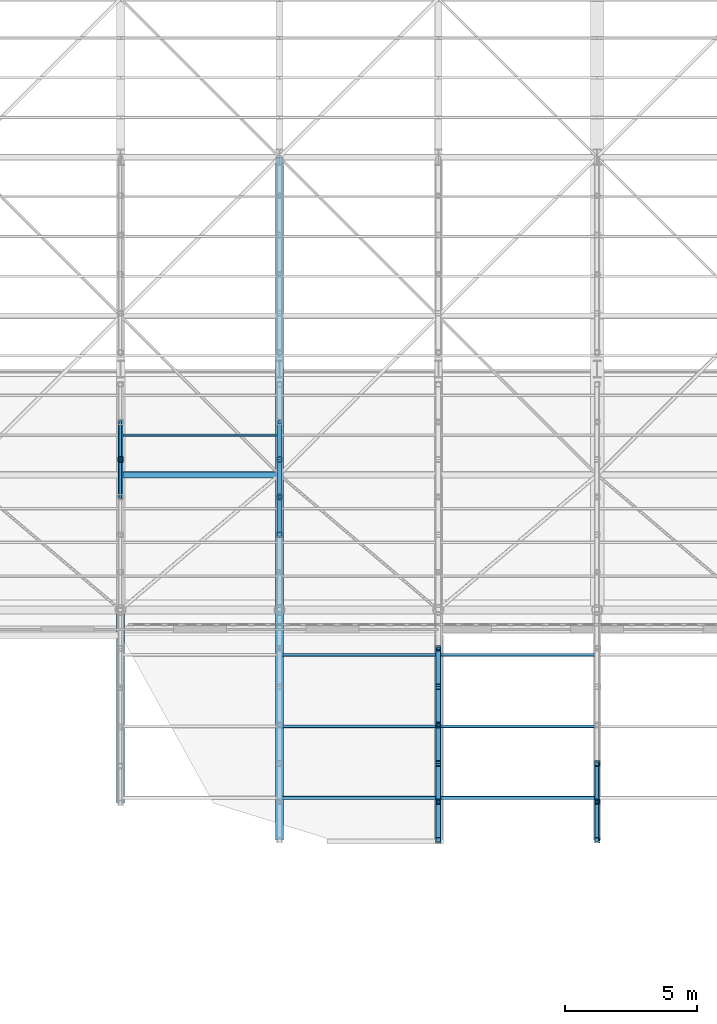
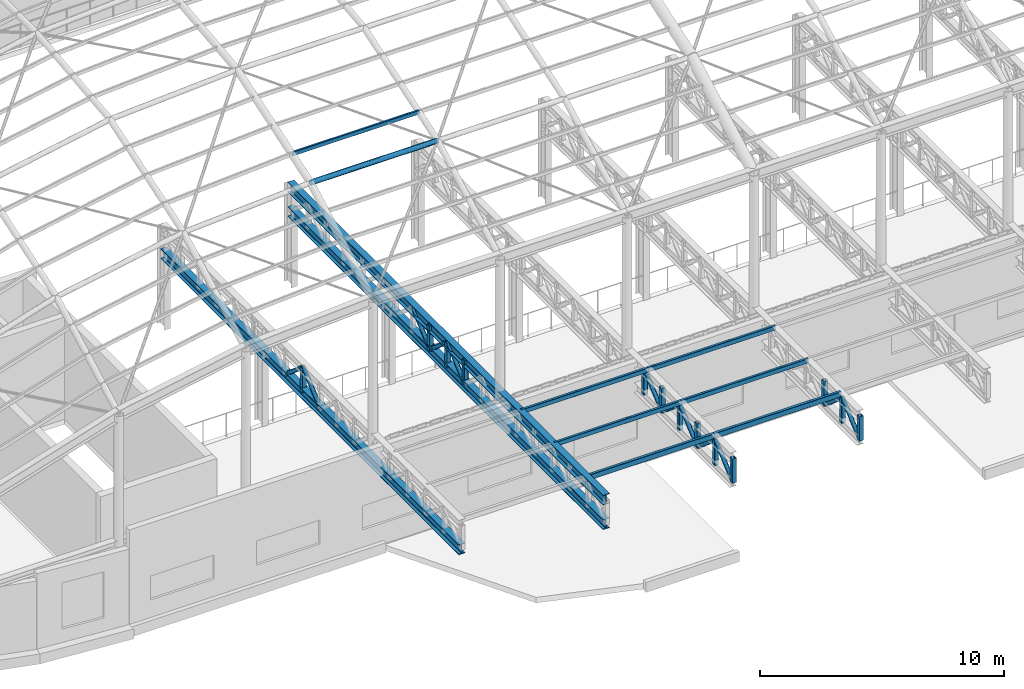
# One storey, part 23 of 75: 36 members.
"""IFC4 building model written with IfcOpenShell, lengths in metres."""

from ifc_helpers import new_model, si_unit, direction, frame, origin, origin_2d, place, context, subcontext, project, spatial, hollow_rectangle, hollow_circle, i_section, extrude, material, material_profile, profile_set, type_object, element, save


model = new_model("IFC4")

# Units and contexts
model_context = context("Model", 3, precision=1e-05, world=origin(), true_north=direction((0.0, 1.0)))
body_context = subcontext(model_context, "Body", "Model", "MODEL_VIEW")
ifc_project = project(units=[si_unit("LENGTHUNIT", "METRE"), si_unit("AREAUNIT", "SQUARE_METRE"), si_unit("VOLUMEUNIT", "CUBIC_METRE"), si_unit("PLANEANGLEUNIT", "RADIAN"), si_unit("MASSUNIT", "GRAM", prefix="KILO")], contexts=[model_context])

# Site, building, storey
site_placement = place(None, origin())
site = spatial("IfcSite", under=ifc_project, at=site_placement, CompositionType="ELEMENT")
building_placement = place(site_placement, origin())
building = spatial("IfcBuilding", under=site, at=building_placement, Name="Kolvaren Corner Interchange", CompositionType="ELEMENT")
storey_placement = place(building_placement, frame((0.0, 0.0, 10.5)))
storey = spatial("IfcBuildingStorey", under=building, at=storey_placement, Name="L03", CompositionType="ELEMENT", Elevation=10.5)

# Members
ifc_material_1 = material(Name="Steel S355", Category="steel")
ifc_material_profile_1 = material_profile(ifc_material_1, hollow_circle(Radius=0.096923828125, WallThickness=0.010009765625, at=origin_2d()), Name="CHS 193.7x10.0")
ifc_profile_set_1 = profile_set([ifc_material_profile_1], Name="Steel S355")
member_type_1 = type_object("IfcMemberType", Name="MEM-BR-CHS194", PredefinedType="BRACE", material=ifc_profile_set_1)
member_1_placement = place(storey_placement, frame((72.0, 29.159912109375, 3.64990234375), z_axis=(0.0, 0.758482926199, 0.651692911319), x_axis=(-1.0, 0.0, 0.0)))
element("IfcMember", 1, at=member_1_placement, inside=storey, type_object=member_type_1, Name="South Portal Cantilever Roof Truss TOP Line 1 Diagonal 09", PredefinedType="BRACE", context=body_context, shape_type="SweptSolid", body=[
    extrude(hollow_circle(Radius=0.096923828125, WallThickness=0.010009765625, at=origin_2d()), origin(), (0.0, 0.0, 1.0), 1.872314453125),
])
for number, where, z_axis, x_axis, name in (
    (2, (72.0, 30.580078125, 4.8701171875), (0.0, 0.758427540561, -0.651757367215), (-1.0, 0.0, 0.0), "South Portal Cantilever Roof Truss TOP Line 1 Diagonal 10"),
    (3, (78.0, 27.739990234375, 3.64990234375), (0.0, 0.758427540561, 0.651757367215), (-1.0, 0.0, 0.0), "South Portal Cantilever Roof Truss TOP Line 2 Diagonal 09"),
):
    element("IfcMember", number, at=place(storey_placement, frame(where, z_axis=z_axis, x_axis=x_axis)), inside=storey, type_object=member_type_1, Name=name, PredefinedType="BRACE", context=body_context, shape_type="SweptSolid", body=[
        extrude(hollow_circle(Radius=0.096923828125, WallThickness=0.010009765625, at=origin_2d()), origin(), (0.0, 0.0, 1.0), 1.8720703125),
    ])
member_2_placement = place(storey_placement, frame((78.0, 29.159912109375, 4.8701171875), z_axis=(0.0, 0.758482926199, -0.651692911319), x_axis=(-1.0, 0.0, 0.0)))
element("IfcMember", 4, at=member_2_placement, inside=storey, type_object=member_type_1, Name="South Portal Cantilever Roof Truss TOP Line 2 Diagonal 10", PredefinedType="BRACE", context=body_context, shape_type="SweptSolid", body=[
    extrude(hollow_circle(Radius=0.096923828125, WallThickness=0.010009765625, at=origin_2d()), origin(), (0.0, 0.0, 1.0), 1.872314453125),
])
member_3_placement = place(storey_placement, frame((78.0, 30.580078125, 3.64990234375), z_axis=(0.0, 0.758427540561, 0.651757367215), x_axis=(-1.0, 0.0, 0.0)))
element("IfcMember", 5, at=member_3_placement, inside=storey, type_object=member_type_1, Name="South Portal Cantilever Roof Truss TOP Line 2 Diagonal 11", PredefinedType="BRACE", context=body_context, shape_type="SweptSolid", body=[
    extrude(hollow_circle(Radius=0.096923828125, WallThickness=0.010009765625, at=origin_2d()), origin(), (0.0, 0.0, 1.0), 1.8720703125),
])
member_4_placement = place(storey_placement, frame((84.0, 16.199951171875, 3.64990234375), z_axis=(0.0, 0.765118287979, 0.643889746307), x_axis=(-1.0, 0.0, 0.0)))
element("IfcMember", 6, at=member_4_placement, inside=storey, type_object=member_type_1, Name="South Portal Cantilever Roof Truss TOP Line 3 Diagonal 01", PredefinedType="BRACE", context=body_context, shape_type="SweptSolid", body=[
    extrude(hollow_circle(Radius=0.096923828125, WallThickness=0.010009765625, at=origin_2d()), origin(), (0.0, 0.0, 1.0), 1.89501953125),
])
member_5_placement = place(storey_placement, frame((84.0, 17.64990234375, 4.8701171875), z_axis=(0.0, 0.765171692013, -0.64382628227), x_axis=(-1.0, 0.0, 0.0)))
element("IfcMember", 7, at=member_5_placement, inside=storey, type_object=member_type_1, Name="South Portal Cantilever Roof Truss TOP Line 3 Diagonal 02", PredefinedType="BRACE", context=body_context, shape_type="SweptSolid", body=[
    extrude(hollow_circle(Radius=0.096923828125, WallThickness=0.010009765625, at=origin_2d()), origin(), (0.0, 0.0, 1.0), 1.895263671875),
])
for number, where, z_axis, x_axis, name in (
    (8, (84.0, 19.10009765625, 3.64990234375), (0.0, 0.765118287979, 0.643889746307), (-1.0, 0.0, 0.0), "South Portal Cantilever Roof Truss TOP Line 3 Diagonal 03"),
    (9, (84.0, 20.550048828125, 4.8701171875), (0.0, 0.765118287979, -0.643889746307), (-1.0, 0.0, 0.0), "South Portal Cantilever Roof Truss TOP Line 3 Diagonal 04"),
    (10, (84.0, 22.0, 3.64990234375), (0.0, 0.765118287979, 0.643889746307), (-1.0, 0.0, 0.0), "South Portal Cantilever Roof Truss TOP Line 3 Diagonal 05"),
    (11, (90.0, 16.199951171875, 3.64990234375), (0.0, 0.765118287979, 0.643889746307), (-1.0, 0.0, 0.0), "South Portal Cantilever Roof Truss TOP Line 4 Diagonal 01"),
):
    element("IfcMember", number, at=place(storey_placement, frame(where, z_axis=z_axis, x_axis=x_axis)), inside=storey, type_object=member_type_1, Name=name, PredefinedType="BRACE", context=body_context, shape_type="SweptSolid", body=[
        extrude(hollow_circle(Radius=0.096923828125, WallThickness=0.010009765625, at=origin_2d()), origin(), (0.0, 0.0, 1.0), 1.89501953125),
    ])
member_6_placement = place(storey_placement, frame((90.0, 17.64990234375, 4.8701171875), z_axis=(0.0, 0.765171692013, -0.64382628227), x_axis=(-1.0, 0.0, 0.0)))
element("IfcMember", 12, at=member_6_placement, inside=storey, type_object=member_type_1, Name="South Portal Cantilever Roof Truss TOP Line 4 Diagonal 02", PredefinedType="BRACE", context=body_context, shape_type="SweptSolid", body=[
    extrude(hollow_circle(Radius=0.096923828125, WallThickness=0.010009765625, at=origin_2d()), origin(), (0.0, 0.0, 1.0), 1.895263671875),
])
ifc_material_2 = material(Name="Steel S355", Category="steel")
ifc_material_profile_2 = material_profile(ifc_material_2, hollow_circle(Radius=0.122314453125, WallThickness=0.012451171875, at=origin_2d()), Name="CHS 244.5x12.5")
ifc_profile_set_2 = profile_set([ifc_material_profile_2], Name="Steel S355")
member_type_2 = type_object("IfcMemberType", Name="MEM-CH-CHS245", PredefinedType="CHORD", material=ifc_profile_set_2)
member_7_placement = place(storey_placement, frame((72.0, 30.0, 14.4130859375), z_axis=(1.0, 0.0, 0.0), x_axis=(0.0, 1.0, 0.0)))
element("IfcMember", 13, at=member_7_placement, inside=storey, type_object=member_type_2, Name="Concourse Translational Gridshell Longitudinal Arch Chord 0109", PredefinedType="CHORD", context=body_context, shape_type="SweptSolid", body=[
    extrude(hollow_circle(Radius=0.122314453125, WallThickness=0.012451171875, at=origin_2d()), origin(), (0.0, 0.0, 1.0), 6.0),
])
ifc_material_3 = material(Name="Steel S355", Category="steel")
ifc_material_profile_3 = material_profile(ifc_material_3, i_section(OverallWidth=0.300048828125, OverallDepth=0.5, WebThickness=0.014404296875, FlangeThickness=0.028076171875, FilletRadius=0.027099609375, at=origin_2d()), Name="HEB 500")
ifc_profile_set_3 = profile_set([ifc_material_profile_3], Name="Steel S355")
member_type_3 = type_object("IfcMemberType", Name="MEM-CH-HEB500", PredefinedType="CHORD", material=ifc_profile_set_3)
member_8_placement = place(storey_placement, frame((72.0, 17.60009765625, 3.64990234375), z_axis=(0.0, 1.0, 0.0), x_axis=(-1.0, 0.0, 0.0)))
element("IfcMember", 14, at=member_8_placement, inside=storey, type_object=member_type_3, Name="South Portal Cantilever Roof Truss TOP Line 1 Bottom Chord", PredefinedType="CHORD", context=body_context, shape_type="SweptSolid", body=[
    extrude(i_section(OverallWidth=0.300048828125, OverallDepth=0.5, WebThickness=0.014404296875, FlangeThickness=0.028076171875, FilletRadius=0.027099609375, at=origin_2d()), origin(), (0.0, 0.0, 1.0), 24.39990234375),
])
for number, where, z_axis, x_axis, name in (
    (15, (78.0, 16.199951171875, 4.8701171875), (0.0, 1.0, 0.0), (-1.0, 0.0, 0.0), "South Portal Cantilever Roof Truss TOP Line 2 Top Chord"),
    (16, (78.0, 16.199951171875, 3.64990234375), (0.0, 1.0, 0.0), (-1.0, 0.0, 0.0), "South Portal Cantilever Roof Truss TOP Line 2 Bottom Chord"),
):
    element("IfcMember", number, at=place(storey_placement, frame(where, z_axis=z_axis, x_axis=x_axis)), inside=storey, type_object=member_type_3, Name=name, PredefinedType="CHORD", context=body_context, shape_type="SweptSolid", body=[
        extrude(i_section(OverallWidth=0.300048828125, OverallDepth=0.5, WebThickness=0.014404296875, FlangeThickness=0.028076171875, FilletRadius=0.027099609375, at=origin_2d()), origin(), (0.0, 0.0, 1.0), 25.800048828125),
    ])
ifc_material_4 = material(Name="Steel S355", Category="steel")
ifc_material_profile_4 = material_profile(ifc_material_4, hollow_rectangle(XDim=0.10009765625, YDim=0.199951171875, WallThickness=0.008056640625, InnerFilletRadius=0.008056640625, OuterFilletRadius=0.01611328125, at=origin_2d()), Name="RHS 200x100x8.0")
ifc_profile_set_4 = profile_set([ifc_material_profile_4], Name="Steel S355")
member_type_4 = type_object("IfcMemberType", Name="MEM-PR-RHS200", PredefinedType="PURLIN", material=ifc_profile_set_4)
member_9_placement = place(storey_placement, frame((72.0, 31.5, 14.950927734375), z_axis=(1.0, 0.0, 0.0), x_axis=(0.0, 1.0, 0.0)))
element("IfcMember", 17, at=member_9_placement, inside=storey, type_object=member_type_4, Name="Concourse Translational Gridshell Glazing Purlin 0034 Row 1", PredefinedType="PURLIN", context=body_context, shape_type="SweptSolid", body=[
    extrude(hollow_rectangle(XDim=0.10009765625, YDim=0.199951171875, WallThickness=0.008056640625, InnerFilletRadius=0.008056640625, OuterFilletRadius=0.01611328125, at=origin_2d()), origin(), (0.0, 0.0, 1.0), 6.0),
])
ifc_material_5 = material(Name="Steel S355", Category="steel")
ifc_material_profile_5 = material_profile(ifc_material_5, hollow_rectangle(XDim=0.1201171875, YDim=0.219970703125, WallThickness=0.008056640625, InnerFilletRadius=0.008056640625, OuterFilletRadius=0.01611328125, at=origin_2d()), Name="RHS 220x120x8.0")
ifc_profile_set_5 = profile_set([ifc_material_profile_5], Name="Steel S355")
member_type_5 = type_object("IfcMemberType", Name="MEM-PR-RHS220", PredefinedType="PURLIN", material=ifc_profile_set_5)
for number, where, z_axis, x_axis, name in (
    (18, (78.0, 20.5, 5.010009765625), (1.0, 0.0, 0.0), (0.0, 1.0, 0.0), "South Portal Cantilever Roof Truss TOP Purlin 2 Bay 78"),
    (19, (84.0, 20.5, 5.010009765625), (1.0, 0.0, 0.0), (0.0, 1.0, 0.0), "South Portal Cantilever Roof Truss TOP Purlin 2 Bay 84"),
    (20, (78.0, 23.199951171875, 5.010009765625), (1.0, 0.0, 0.0), (0.0, 1.0, 0.0), "South Portal Cantilever Roof Truss TOP Purlin 3 Bay 78"),
    (21, (84.0, 23.199951171875, 5.010009765625), (1.0, 0.0, 0.0), (0.0, 1.0, 0.0), "South Portal Cantilever Roof Truss TOP Purlin 3 Bay 84"),
):
    element("IfcMember", number, at=place(storey_placement, frame(where, z_axis=z_axis, x_axis=x_axis)), inside=storey, type_object=member_type_5, Name=name, PredefinedType="PURLIN", context=body_context, shape_type="SweptSolid", body=[
        extrude(hollow_rectangle(XDim=0.1201171875, YDim=0.219970703125, WallThickness=0.008056640625, InnerFilletRadius=0.008056640625, OuterFilletRadius=0.01611328125, at=origin_2d()), origin(), (0.0, 0.0, 1.0), 6.0),
    ])
ifc_material_6 = material(Name="Steel S355", Category="steel")
ifc_material_profile_6 = material_profile(ifc_material_6, hollow_rectangle(XDim=0.139892578125, YDim=0.260009765625, WallThickness=0.010009765625, InnerFilletRadius=0.010009765625, OuterFilletRadius=0.02001953125, at=origin_2d()), Name="RHS 260x140x10.0")
ifc_profile_set_6 = profile_set([ifc_material_profile_6], Name="Steel S355")
member_type_6 = type_object("IfcMemberType", Name="MEM-PR-RHS260", PredefinedType="PURLIN", material=ifc_profile_set_6)
for number, where, z_axis, x_axis, name in (
    (22, (78.0, 17.800048828125, 4.989990234375), (1.0, 0.0, 0.0), (0.0, 1.0, 0.0), "South Portal Cantilever Roof Truss TOP Purlin 1 Bay 78"),
    (23, (84.0, 17.800048828125, 4.989990234375), (1.0, 0.0, 0.0), (0.0, 1.0, 0.0), "South Portal Cantilever Roof Truss TOP Purlin 1 Bay 84"),
):
    element("IfcMember", number, at=place(storey_placement, frame(where, z_axis=z_axis, x_axis=x_axis)), inside=storey, type_object=member_type_6, Name=name, PredefinedType="PURLIN", context=body_context, shape_type="SweptSolid", body=[
        extrude(hollow_rectangle(XDim=0.139892578125, YDim=0.260009765625, WallThickness=0.010009765625, InnerFilletRadius=0.010009765625, OuterFilletRadius=0.02001953125, at=origin_2d()), origin(), (0.0, 0.0, 1.0), 6.0),
    ])
ifc_material_7 = material(Name="Steel S355", Category="steel")
ifc_material_profile_7 = material_profile(ifc_material_7, hollow_rectangle(XDim=0.199951171875, YDim=0.199951171875, WallThickness=0.010009765625, InnerFilletRadius=0.010009765625, OuterFilletRadius=0.02001953125, at=origin_2d()), Name="SHS 200x200x10.0")
ifc_profile_set_7 = profile_set([ifc_material_profile_7], Name="Steel S355")
member_type_7 = type_object("IfcMemberType", Name="MEM-PT-SHS200", PredefinedType="POST", material=ifc_profile_set_7)
for number, where, z_axis, x_axis, name in (
    (24, (72.0, 30.580078125, 3.64990234375), (0.0, 0.0, 1.0), (1.0, 0.0, 0.0), "South Portal Cantilever Roof Truss TOP Line 1 Web Post 10"),
    (25, (78.0, 27.739990234375, 3.64990234375), (0.0, 0.0, 1.0), (1.0, 0.0, 0.0), "South Portal Cantilever Roof Truss TOP Line 2 Web Post 09"),
    (26, (78.0, 29.159912109375, 3.64990234375), (0.0, 0.0, 1.0), (1.0, 0.0, 0.0), "South Portal Cantilever Roof Truss TOP Line 2 Web Post 10"),
    (27, (78.0, 30.580078125, 3.64990234375), (0.0, 0.0, 1.0), (1.0, 0.0, 0.0), "South Portal Cantilever Roof Truss TOP Line 2 Web Post 11"),
    (28, (84.0, 16.199951171875, 3.64990234375), (0.0, 0.0, 1.0), (1.0, 0.0, 0.0), "South Portal Cantilever Roof Truss TOP Line 3 Web Post 01"),
    (29, (84.0, 17.64990234375, 3.64990234375), (0.0, 0.0, 1.0), (1.0, 0.0, 0.0), "South Portal Cantilever Roof Truss TOP Line 3 Web Post 02"),
    (30, (84.0, 19.10009765625, 3.64990234375), (0.0, 0.0, 1.0), (1.0, 0.0, 0.0), "South Portal Cantilever Roof Truss TOP Line 3 Web Post 03"),
    (31, (84.0, 20.550048828125, 3.64990234375), (0.0, 0.0, 1.0), (1.0, 0.0, 0.0), "South Portal Cantilever Roof Truss TOP Line 3 Web Post 04"),
    (32, (84.0, 22.0, 3.64990234375), (0.0, 0.0, 1.0), (1.0, 0.0, 0.0), "South Portal Cantilever Roof Truss TOP Line 3 Web Post 05"),
    (33, (84.0, 23.449951171875, 3.64990234375), (0.0, 0.0, 1.0), (1.0, 0.0, 0.0), "South Portal Cantilever Roof Truss TOP Line 3 Web Post 06"),
    (34, (90.0, 16.199951171875, 3.64990234375), (0.0, 0.0, 1.0), (1.0, 0.0, 0.0), "South Portal Cantilever Roof Truss TOP Line 4 Web Post 01"),
    (35, (90.0, 17.64990234375, 3.64990234375), (0.0, 0.0, 1.0), (1.0, 0.0, 0.0), "South Portal Cantilever Roof Truss TOP Line 4 Web Post 02"),
    (36, (90.0, 19.10009765625, 3.64990234375), (0.0, 0.0, 1.0), (1.0, 0.0, 0.0), "South Portal Cantilever Roof Truss TOP Line 4 Web Post 03"),
):
    element("IfcMember", number, at=place(storey_placement, frame(where, z_axis=z_axis, x_axis=x_axis)), inside=storey, type_object=member_type_7, Name=name, PredefinedType="POST", context=body_context, shape_type="SweptSolid", body=[
        extrude(hollow_rectangle(XDim=0.199951171875, YDim=0.199951171875, WallThickness=0.010009765625, InnerFilletRadius=0.010009765625, OuterFilletRadius=0.02001953125, at=origin_2d()), origin(), (0.0, 0.0, 1.0), 1.22021484375),
    ])

save(model, "model.ifc")
